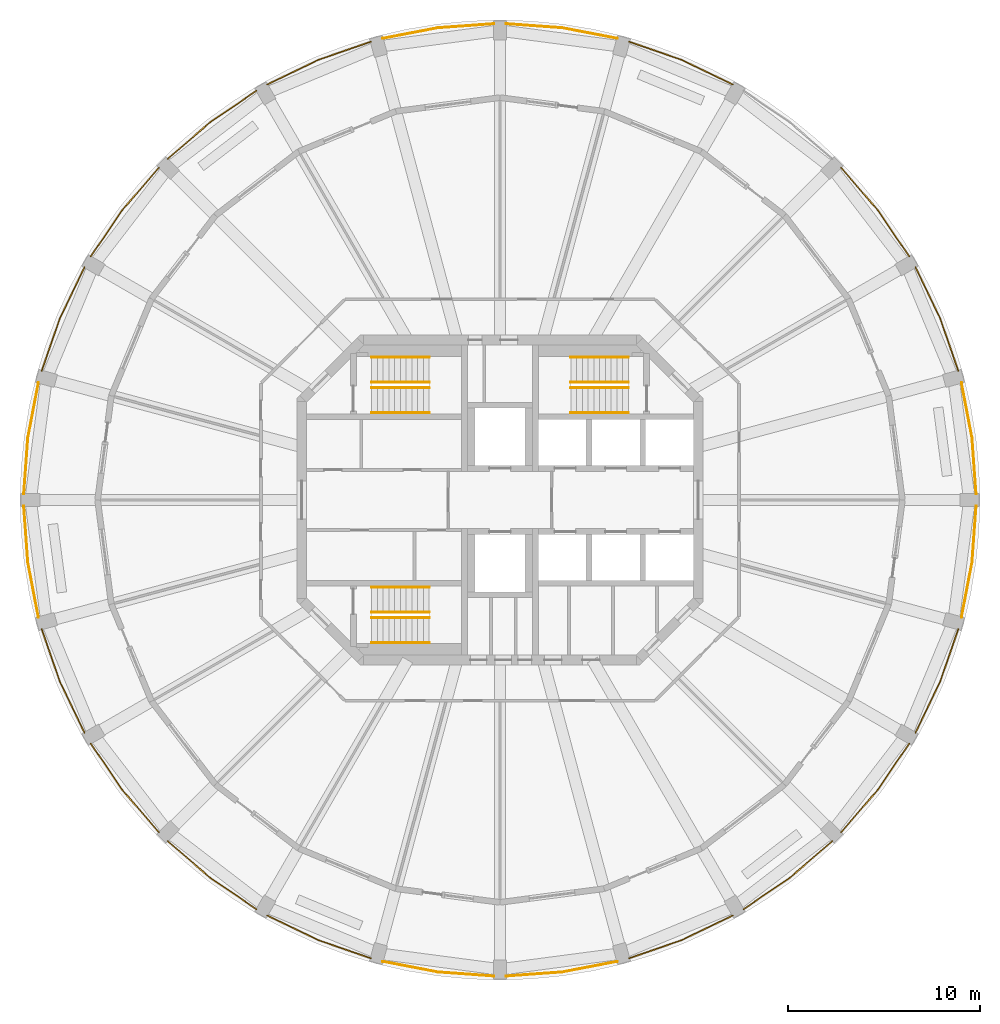
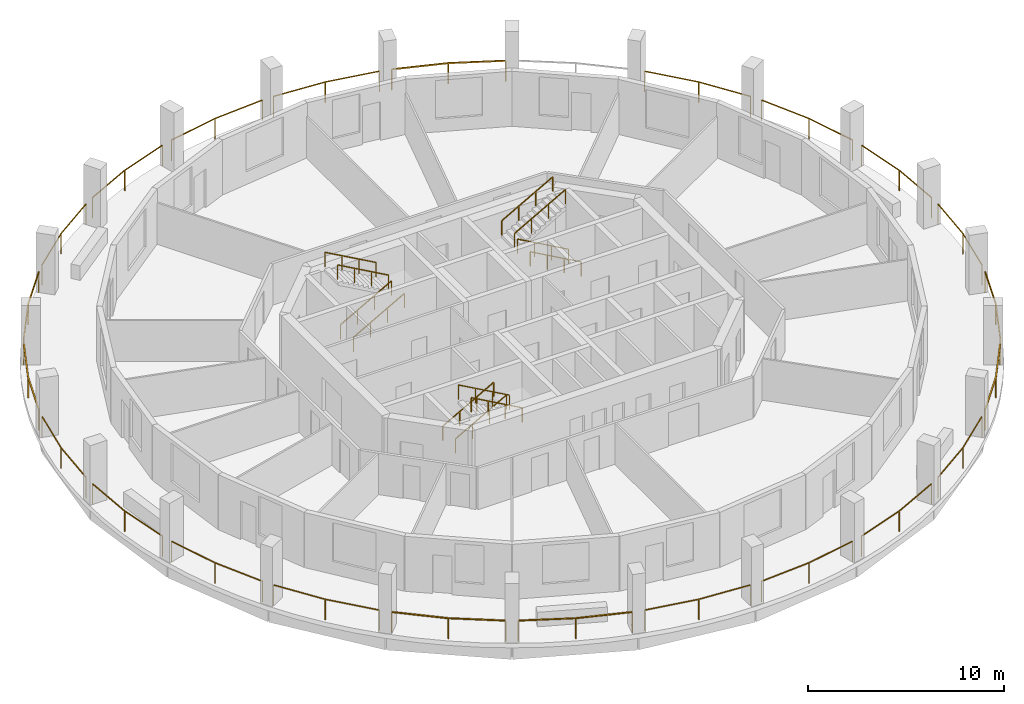
# One storey, part 8 of 9: 35 railings.
"""IFC4 building model written with IfcOpenShell, lengths in metres."""

from ifc_helpers import new_model, si_unit, direction, frame, origin, origin_2d, place, context, subcontext, project, spatial, rectangle, extrude, material, type_object, element, save


model = new_model("IFC4")

# Units and contexts
model_context = context("Model", 3, precision=1e-05, world=origin(), true_north=direction((0.0, 1.0)))
body_context = subcontext(model_context, "Body", "Model", "MODEL_VIEW")
ifc_project = project(units=[si_unit("LENGTHUNIT", "METRE"), si_unit("AREAUNIT", "SQUARE_METRE"), si_unit("VOLUMEUNIT", "CUBIC_METRE"), si_unit("PLANEANGLEUNIT", "RADIAN"), si_unit("MASSUNIT", "GRAM", prefix="KILO")], contexts=[model_context])

# Site, building, storey
site_placement = place(None, origin())
site = spatial("IfcSite", under=ifc_project, at=site_placement, CompositionType="ELEMENT")
building_placement = place(site_placement, origin())
building = spatial("IfcBuilding", under=site, at=building_placement, Name="Torre Triforio", CompositionType="ELEMENT")
storey_placement = place(building_placement, frame((0.0, 0.0, 264.89990234375)))
storey = spatial("IfcBuildingStorey", under=building, at=storey_placement, Name="L61", CompositionType="ELEMENT", Elevation=264.89990234375)

# Railings
ifc_material = material(Name="Stainless steel AISI 316", Category="steel")
railing_type_1 = type_object("IfcRailingType", Name="HANDRAIL 920", PredefinedType="HANDRAIL", material=ifc_material)
for number, where, name in (
    (1, (-6.699951171875, 4.550048828125, 0.168212890625), "Handrail ST1"),
    (2, (-6.699951171875, 5.85009765625, 0.168212890625), "Handrail ST1"),
):
    element("IfcRailing", number, at=place(storey_placement, frame(where)), inside=storey, type_object=railing_type_1, Name=name, PredefinedType="HANDRAIL", context=body_context, shape_type="SweptSolid", body=[
        extrude(rectangle(XDim=0.048095703125, YDim=0.048095703125, at=origin_2d()), frame((0.0, 0.0, 0.89599609375), z_axis=(0.872272294576, 0.0, 0.489020494575), x_axis=(0.0, 1.0, 0.0)), (0.0, 0.0, 1.0), 3.439208984375),
        extrude(rectangle(XDim=0.0419921875, YDim=0.0419921875, at=origin_2d()), origin(), (0.0, 0.0, 1.0), 0.871826171875),
        extrude(rectangle(XDim=0.0419921875, YDim=0.0419921875, at=origin_2d()), frame((1.0, 0.0, 0.560546875)), (0.0, 0.0, 1.0), 0.871826171875),
        extrude(rectangle(XDim=0.0419921875, YDim=0.0419921875, at=origin_2d()), frame((2.0, 0.0, 1.121337890625)), (0.0, 0.0, 1.0), 0.871826171875),
        extrude(rectangle(XDim=0.0419921875, YDim=0.0419921875, at=origin_2d()), frame((3.0, 0.0, 1.681884765625)), (0.0, 0.0, 1.0), 0.871826171875),
    ])
for number, where, name in (
    (3, (-3.699951171875, 7.449951171875, 2.018310546875), "Handrail ST1"),
    (4, (-3.699951171875, 6.14990234375, 2.018310546875), "Handrail ST1"),
    (5, (6.699951171875, 4.550048828125, 0.168212890625), "Handrail ST2"),
    (6, (6.699951171875, 5.85009765625, 0.168212890625), "Handrail ST2"),
):
    element("IfcRailing", number, at=place(storey_placement, frame(where)), inside=storey, type_object=railing_type_1, Name=name, PredefinedType="HANDRAIL", context=body_context, shape_type="SweptSolid", body=[
        extrude(rectangle(XDim=0.048095703125, YDim=0.048095703125, at=origin_2d()), frame((0.0, 0.0, 0.89599609375), z_axis=(-0.872272294576, 0.0, 0.489020494575), x_axis=(0.0, -1.0, 0.0)), (0.0, 0.0, 1.0), 3.439208984375),
        extrude(rectangle(XDim=0.0419921875, YDim=0.0419921875, at=origin_2d()), origin(), (0.0, 0.0, 1.0), 0.871826171875),
        extrude(rectangle(XDim=0.0419921875, YDim=0.0419921875, at=origin_2d()), frame((-1.0, 0.0, 0.560546875)), (0.0, 0.0, 1.0), 0.871826171875),
        extrude(rectangle(XDim=0.0419921875, YDim=0.0419921875, at=origin_2d()), frame((-2.0, 0.0, 1.121337890625)), (0.0, 0.0, 1.0), 0.871826171875),
        extrude(rectangle(XDim=0.0419921875, YDim=0.0419921875, at=origin_2d()), frame((-3.0, 0.0, 1.681884765625)), (0.0, 0.0, 1.0), 0.871826171875),
    ])
for number, where, name in (
    (7, (3.699951171875, 7.449951171875, 2.018310546875), "Handrail ST2"),
    (8, (3.699951171875, 6.14990234375, 2.018310546875), "Handrail ST2"),
    (9, (-6.699951171875, -4.550048828125, 0.168212890625), "Handrail ST3"),
    (10, (-6.699951171875, -5.85009765625, 0.168212890625), "Handrail ST3"),
):
    element("IfcRailing", number, at=place(storey_placement, frame(where)), inside=storey, type_object=railing_type_1, Name=name, PredefinedType="HANDRAIL", context=body_context, shape_type="SweptSolid", body=[
        extrude(rectangle(XDim=0.048095703125, YDim=0.048095703125, at=origin_2d()), frame((0.0, 0.0, 0.89599609375), z_axis=(0.872272294576, 0.0, 0.489020494575), x_axis=(0.0, 1.0, 0.0)), (0.0, 0.0, 1.0), 3.439208984375),
        extrude(rectangle(XDim=0.0419921875, YDim=0.0419921875, at=origin_2d()), origin(), (0.0, 0.0, 1.0), 0.871826171875),
        extrude(rectangle(XDim=0.0419921875, YDim=0.0419921875, at=origin_2d()), frame((1.0, 0.0, 0.560546875)), (0.0, 0.0, 1.0), 0.871826171875),
        extrude(rectangle(XDim=0.0419921875, YDim=0.0419921875, at=origin_2d()), frame((2.0, 0.0, 1.121337890625)), (0.0, 0.0, 1.0), 0.871826171875),
        extrude(rectangle(XDim=0.0419921875, YDim=0.0419921875, at=origin_2d()), frame((3.0, 0.0, 1.681884765625)), (0.0, 0.0, 1.0), 0.871826171875),
    ])
for number, where, name in (
    (11, (-3.699951171875, -7.449951171875, 2.018310546875), "Handrail ST3"),
    (12, (-3.699951171875, -6.14990234375, 2.018310546875), "Handrail ST3"),
):
    element("IfcRailing", number, at=place(storey_placement, frame(where)), inside=storey, type_object=railing_type_1, Name=name, PredefinedType="HANDRAIL", context=body_context, shape_type="SweptSolid", body=[
        extrude(rectangle(XDim=0.048095703125, YDim=0.048095703125, at=origin_2d()), frame((0.0, 0.0, 0.89599609375), z_axis=(-0.872272294576, 0.0, 0.489020494575), x_axis=(0.0, -1.0, 0.0)), (0.0, 0.0, 1.0), 3.439208984375),
        extrude(rectangle(XDim=0.0419921875, YDim=0.0419921875, at=origin_2d()), origin(), (0.0, 0.0, 1.0), 0.871826171875),
        extrude(rectangle(XDim=0.0419921875, YDim=0.0419921875, at=origin_2d()), frame((-1.0, 0.0, 0.560546875)), (0.0, 0.0, 1.0), 0.871826171875),
        extrude(rectangle(XDim=0.0419921875, YDim=0.0419921875, at=origin_2d()), frame((-2.0, 0.0, 1.121337890625)), (0.0, 0.0, 1.0), 0.871826171875),
        extrude(rectangle(XDim=0.0419921875, YDim=0.0419921875, at=origin_2d()), frame((-3.0, 0.0, 1.681884765625)), (0.0, 0.0, 1.0), 0.871826171875),
    ])
railing_type_2 = type_object("IfcRailingType", Name="Loggia guard 1300", PredefinedType="GUARDRAIL", material=ifc_material)
railing_1_placement = place(storey_placement, frame((24.85009765625, 0.320068359375, 0.0)))
element("IfcRailing", 13, at=railing_1_placement, inside=storey, type_object=railing_type_2, Name="Loggia guard L61 bay 01", PredefinedType="GUARDRAIL", context=body_context, shape_type="SweptSolid", body=[
    extrude(rectangle(XDim=0.050048828125, YDim=0.050048828125, at=origin_2d()), frame((0.0, 0.0, 1.27490234375), z_axis=(-0.072543227511, 0.997365269168, 0.0), x_axis=(-0.997365269168, -0.072543227511, 0.0)), (0.0, 0.0, 1.0), 2.931396484375),
    extrude(rectangle(XDim=0.050048828125, YDim=0.050048828125, at=origin_2d()), frame((-0.212646484375, 2.923583984375, 1.27490234375), z_axis=(-0.188068851895, 0.982155846568, 0.0), x_axis=(-0.982155846568, -0.188068851895, 0.0)), (0.0, 0.0, 1.0), 2.93115234375),
    extrude(rectangle(XDim=0.0400390625, YDim=0.0400390625, at=origin_2d()), origin(), (0.0, 0.0, 1.0), 1.25),
    extrude(rectangle(XDim=0.0400390625, YDim=0.0400390625, at=origin_2d()), frame((-0.212646484375, 2.923583984375, 0.0)), (0.0, 0.0, 1.0), 1.25),
    extrude(rectangle(XDim=0.0400390625, YDim=0.0400390625, at=origin_2d()), frame((-0.763916015625, 5.802490234375, 0.0)), (0.0, 0.0, 1.0), 1.25),
])
railing_2_placement = place(storey_placement, frame((23.92041015625, 6.74072265625, 0.0)))
element("IfcRailing", 14, at=railing_2_placement, inside=storey, type_object=railing_type_2, Name="Loggia guard L61 bay 02", PredefinedType="GUARDRAIL", context=body_context, shape_type="SweptSolid", body=[
    extrude(rectangle(XDim=0.050048828125, YDim=0.050048828125, at=origin_2d()), frame((0.0, 0.0, 1.27490234375), z_axis=(-0.328145883403, 0.944627058264, 0.0), x_axis=(-0.944627058264, -0.328145883403, 0.0)), (0.0, 0.0, 1.0), 2.931396484375),
    extrude(rectangle(XDim=0.050048828125, YDim=0.050048828125, at=origin_2d()), frame((-0.9619140625, 2.76904296875, 1.27490234375), z_axis=(-0.435917913275, 0.899986429279, 0.0), x_axis=(-0.899986429279, -0.435917913275, 0.0)), (0.0, 0.0, 1.0), 2.931396484375),
    extrude(rectangle(XDim=0.0400390625, YDim=0.0400390625, at=origin_2d()), origin(), (0.0, 0.0, 1.0), 1.25),
    extrude(rectangle(XDim=0.0400390625, YDim=0.0400390625, at=origin_2d()), frame((-0.9619140625, 2.76904296875, 0.0)), (0.0, 0.0, 1.0), 1.25),
    extrude(rectangle(XDim=0.0400390625, YDim=0.0400390625, at=origin_2d()), frame((-2.23974609375, 5.4072265625, 0.0)), (0.0, 0.0, 1.0), 1.25),
])
railing_3_placement = place(storey_placement, frame((21.360595703125, 12.7021484375, 0.0)))
element("IfcRailing", 15, at=railing_3_placement, inside=storey, type_object=railing_type_2, Name="Loggia guard L61 bay 03", PredefinedType="GUARDRAIL", context=body_context, shape_type="SweptSolid", body=[
    extrude(rectangle(XDim=0.050048828125, YDim=0.050048828125, at=origin_2d()), frame((0.0, 0.0, 1.27490234375), z_axis=(-0.561466791934, 0.827499269821, 0.0), x_axis=(-0.827499269821, -0.561466791934, 0.0)), (0.0, 0.0, 1.0), 2.93115234375),
    extrude(rectangle(XDim=0.050048828125, YDim=0.050048828125, at=origin_2d()), frame((-1.645751953125, 2.425537109375, 1.27490234375), z_axis=(-0.653981928353, 0.756510170049, 0.0), x_axis=(-0.756510170049, -0.653981928353, 0.0)), (0.0, 0.0, 1.0), 2.93115234375),
    extrude(rectangle(XDim=0.0400390625, YDim=0.0400390625, at=origin_2d()), origin(), (0.0, 0.0, 1.0), 1.25),
    extrude(rectangle(XDim=0.0400390625, YDim=0.0400390625, at=origin_2d()), frame((-1.645751953125, 2.425537109375, 0.0)), (0.0, 0.0, 1.0), 1.25),
    extrude(rectangle(XDim=0.0400390625, YDim=0.0400390625, at=origin_2d()), frame((-3.562744140625, 4.64306640625, 0.0)), (0.0, 0.0, 1.0), 1.25),
])
railing_4_placement = place(storey_placement, frame((12.14794921875, 21.6806640625, 0.0)))
element("IfcRailing", 16, at=railing_4_placement, inside=storey, type_object=railing_type_2, Name="Loggia guard L61 bay 05", PredefinedType="GUARDRAIL", context=body_context, shape_type="SweptSolid", body=[
    extrude(rectangle(XDim=0.050048828125, YDim=0.050048828125, at=origin_2d()), frame((0.0, 0.0, 1.27490234375), z_axis=(-0.899986429279, 0.435917913275, 0.0), x_axis=(-0.435917913275, -0.899986429279, 0.0)), (0.0, 0.0, 1.0), 2.931396484375),
    extrude(rectangle(XDim=0.050048828125, YDim=0.050048828125, at=origin_2d()), frame((-2.63818359375, 1.27783203125, 1.27490234375), z_axis=(-0.944627058264, 0.328145883403, 0.0), x_axis=(-0.328145883403, -0.944627058264, 0.0)), (0.0, 0.0, 1.0), 2.931396484375),
    extrude(rectangle(XDim=0.0400390625, YDim=0.0400390625, at=origin_2d()), origin(), (0.0, 0.0, 1.0), 1.25),
    extrude(rectangle(XDim=0.0400390625, YDim=0.0400390625, at=origin_2d()), frame((-2.63818359375, 1.27783203125, 0.0)), (0.0, 0.0, 1.0), 1.25),
    extrude(rectangle(XDim=0.0400390625, YDim=0.0400390625, at=origin_2d()), frame((-5.4072265625, 2.23974609375, 0.0)), (0.0, 0.0, 1.0), 1.25),
])
railing_5_placement = place(storey_placement, frame((6.12255859375, 24.086181640625, 0.0)))
element("IfcRailing", 17, at=railing_5_placement, inside=storey, type_object=railing_type_2, Name="Loggia guard L61 bay 06", PredefinedType="GUARDRAIL", context=body_context, shape_type="SweptSolid", body=[
    extrude(rectangle(XDim=0.050048828125, YDim=0.050048828125, at=origin_2d()), frame((0.0, 0.0, 1.27490234375), z_axis=(-0.982155846568, 0.188068851895, 0.0), x_axis=(-0.188068851895, -0.982155846568, 0.0)), (0.0, 0.0, 1.0), 2.93115234375),
    extrude(rectangle(XDim=0.050048828125, YDim=0.050048828125, at=origin_2d()), frame((-2.87890625, 0.55126953125, 1.27490234375), z_axis=(-0.997365269168, 0.072543227511, 0.0), x_axis=(-0.072543227511, -0.997365269168, 0.0)), (0.0, 0.0, 1.0), 2.931396484375),
    extrude(rectangle(XDim=0.0400390625, YDim=0.0400390625, at=origin_2d()), origin(), (0.0, 0.0, 1.0), 1.25),
    extrude(rectangle(XDim=0.0400390625, YDim=0.0400390625, at=origin_2d()), frame((-2.87890625, 0.55126953125, 0.0)), (0.0, 0.0, 1.0), 1.25),
    extrude(rectangle(XDim=0.0400390625, YDim=0.0400390625, at=origin_2d()), frame((-5.802490234375, 0.763916015625, 0.0)), (0.0, 0.0, 1.0), 1.25),
])
railing_6_placement = place(storey_placement, frame((-0.320068359375, 24.85009765625, 0.0)))
element("IfcRailing", 18, at=railing_6_placement, inside=storey, type_object=railing_type_2, Name="Loggia guard L61 bay 07", PredefinedType="GUARDRAIL", context=body_context, shape_type="SweptSolid", body=[
    extrude(rectangle(XDim=0.050048828125, YDim=0.050048828125, at=origin_2d()), frame((0.0, 0.0, 1.27490234375), z_axis=(-0.997365269168, -0.072543227511, 0.0), x_axis=(0.072543227511, -0.997365269168, 0.0)), (0.0, 0.0, 1.0), 2.931396484375),
    extrude(rectangle(XDim=0.050048828125, YDim=0.050048828125, at=origin_2d()), frame((-2.923583984375, -0.212646484375, 1.27490234375), z_axis=(-0.982155846568, -0.188068851895, 0.0), x_axis=(0.188068851895, -0.982155846568, 0.0)), (0.0, 0.0, 1.0), 2.93115234375),
    extrude(rectangle(XDim=0.0400390625, YDim=0.0400390625, at=origin_2d()), origin(), (0.0, 0.0, 1.0), 1.25),
    extrude(rectangle(XDim=0.0400390625, YDim=0.0400390625, at=origin_2d()), frame((-2.923583984375, -0.212646484375, 0.0)), (0.0, 0.0, 1.0), 1.25),
    extrude(rectangle(XDim=0.0400390625, YDim=0.0400390625, at=origin_2d()), frame((-5.802490234375, -0.763916015625, 0.0)), (0.0, 0.0, 1.0), 1.25),
])
railing_7_placement = place(storey_placement, frame((-6.74072265625, 23.92041015625, 0.0)))
element("IfcRailing", 19, at=railing_7_placement, inside=storey, type_object=railing_type_2, Name="Loggia guard L61 bay 08", PredefinedType="GUARDRAIL", context=body_context, shape_type="SweptSolid", body=[
    extrude(rectangle(XDim=0.050048828125, YDim=0.050048828125, at=origin_2d()), frame((0.0, 0.0, 1.27490234375), z_axis=(-0.944627058264, -0.328145883403, 0.0), x_axis=(0.328145883403, -0.944627058264, 0.0)), (0.0, 0.0, 1.0), 2.931396484375),
    extrude(rectangle(XDim=0.050048828125, YDim=0.050048828125, at=origin_2d()), frame((-2.76904296875, -0.9619140625, 1.27490234375), z_axis=(-0.899986429279, -0.435917913275, 0.0), x_axis=(0.435917913275, -0.899986429279, 0.0)), (0.0, 0.0, 1.0), 2.931396484375),
    extrude(rectangle(XDim=0.0400390625, YDim=0.0400390625, at=origin_2d()), origin(), (0.0, 0.0, 1.0), 1.25),
    extrude(rectangle(XDim=0.0400390625, YDim=0.0400390625, at=origin_2d()), frame((-2.76904296875, -0.9619140625, 0.0)), (0.0, 0.0, 1.0), 1.25),
    extrude(rectangle(XDim=0.0400390625, YDim=0.0400390625, at=origin_2d()), frame((-5.4072265625, -2.23974609375, 0.0)), (0.0, 0.0, 1.0), 1.25),
])
railing_8_placement = place(storey_placement, frame((-12.7021484375, 21.360595703125, 0.0)))
element("IfcRailing", 20, at=railing_8_placement, inside=storey, type_object=railing_type_2, Name="Loggia guard L61 bay 09", PredefinedType="GUARDRAIL", context=body_context, shape_type="SweptSolid", body=[
    extrude(rectangle(XDim=0.050048828125, YDim=0.050048828125, at=origin_2d()), frame((0.0, 0.0, 1.27490234375), z_axis=(-0.827499269821, -0.561466791934, 0.0), x_axis=(0.561466791934, -0.827499269821, 0.0)), (0.0, 0.0, 1.0), 2.93115234375),
    extrude(rectangle(XDim=0.050048828125, YDim=0.050048828125, at=origin_2d()), frame((-2.425537109375, -1.645751953125, 1.27490234375), z_axis=(-0.756510170049, -0.653981928353, 0.0), x_axis=(0.653981928353, -0.756510170049, 0.0)), (0.0, 0.0, 1.0), 2.93115234375),
    extrude(rectangle(XDim=0.0400390625, YDim=0.0400390625, at=origin_2d()), origin(), (0.0, 0.0, 1.0), 1.25),
    extrude(rectangle(XDim=0.0400390625, YDim=0.0400390625, at=origin_2d()), frame((-2.425537109375, -1.645751953125, 0.0)), (0.0, 0.0, 1.0), 1.25),
    extrude(rectangle(XDim=0.0400390625, YDim=0.0400390625, at=origin_2d()), frame((-4.64306640625, -3.562744140625, 0.0)), (0.0, 0.0, 1.0), 1.25),
])
railing_9_placement = place(storey_placement, frame((-17.7978515625, 17.34521484375, 0.0)))
element("IfcRailing", 21, at=railing_9_placement, inside=storey, type_object=railing_type_2, Name="Loggia guard L61 bay 10", PredefinedType="GUARDRAIL", context=body_context, shape_type="SweptSolid", body=[
    extrude(rectangle(XDim=0.050048828125, YDim=0.050048828125, at=origin_2d()), frame((0.0, 0.0, 1.27490234375), z_axis=(-0.653981928353, -0.756510170049, 0.0), x_axis=(0.756510170049, -0.653981928353, 0.0)), (0.0, 0.0, 1.0), 2.93115234375),
    extrude(rectangle(XDim=0.050048828125, YDim=0.050048828125, at=origin_2d()), frame((-1.9169921875, -2.217529296875, 1.27490234375), z_axis=(-0.561466791934, -0.827499269821, 0.0), x_axis=(0.827499269821, -0.561466791934, 0.0)), (0.0, 0.0, 1.0), 2.93115234375),
    extrude(rectangle(XDim=0.0400390625, YDim=0.0400390625, at=origin_2d()), origin(), (0.0, 0.0, 1.0), 1.25),
    extrude(rectangle(XDim=0.0400390625, YDim=0.0400390625, at=origin_2d()), frame((-1.9169921875, -2.217529296875, 0.0)), (0.0, 0.0, 1.0), 1.25),
    extrude(rectangle(XDim=0.0400390625, YDim=0.0400390625, at=origin_2d()), frame((-3.562744140625, -4.64306640625, 0.0)), (0.0, 0.0, 1.0), 1.25),
])
railing_10_placement = place(storey_placement, frame((-21.6806640625, 12.14794921875, 0.0)))
element("IfcRailing", 22, at=railing_10_placement, inside=storey, type_object=railing_type_2, Name="Loggia guard L61 bay 11", PredefinedType="GUARDRAIL", context=body_context, shape_type="SweptSolid", body=[
    extrude(rectangle(XDim=0.050048828125, YDim=0.050048828125, at=origin_2d()), frame((0.0, 0.0, 1.27490234375), z_axis=(-0.435917913275, -0.899986429279, 0.0), x_axis=(0.899986429279, -0.435917913275, 0.0)), (0.0, 0.0, 1.0), 2.931396484375),
    extrude(rectangle(XDim=0.050048828125, YDim=0.050048828125, at=origin_2d()), frame((-1.27783203125, -2.63818359375, 1.27490234375), z_axis=(-0.328145883403, -0.944627058264, 0.0), x_axis=(0.944627058264, -0.328145883403, 0.0)), (0.0, 0.0, 1.0), 2.931396484375),
    extrude(rectangle(XDim=0.0400390625, YDim=0.0400390625, at=origin_2d()), origin(), (0.0, 0.0, 1.0), 1.25),
    extrude(rectangle(XDim=0.0400390625, YDim=0.0400390625, at=origin_2d()), frame((-1.27783203125, -2.63818359375, 0.0)), (0.0, 0.0, 1.0), 1.25),
    extrude(rectangle(XDim=0.0400390625, YDim=0.0400390625, at=origin_2d()), frame((-2.23974609375, -5.4072265625, 0.0)), (0.0, 0.0, 1.0), 1.25),
])
railing_11_placement = place(storey_placement, frame((-24.086181640625, 6.12255859375, 0.0)))
element("IfcRailing", 23, at=railing_11_placement, inside=storey, type_object=railing_type_2, Name="Loggia guard L61 bay 12", PredefinedType="GUARDRAIL", context=body_context, shape_type="SweptSolid", body=[
    extrude(rectangle(XDim=0.050048828125, YDim=0.050048828125, at=origin_2d()), frame((0.0, 0.0, 1.27490234375), z_axis=(-0.188068851895, -0.982155846568, 0.0), x_axis=(0.982155846568, -0.188068851895, 0.0)), (0.0, 0.0, 1.0), 2.93115234375),
    extrude(rectangle(XDim=0.050048828125, YDim=0.050048828125, at=origin_2d()), frame((-0.55126953125, -2.87890625, 1.27490234375), z_axis=(-0.072543227511, -0.997365269168, 0.0), x_axis=(0.997365269168, -0.072543227511, 0.0)), (0.0, 0.0, 1.0), 2.931396484375),
    extrude(rectangle(XDim=0.0400390625, YDim=0.0400390625, at=origin_2d()), origin(), (0.0, 0.0, 1.0), 1.25),
    extrude(rectangle(XDim=0.0400390625, YDim=0.0400390625, at=origin_2d()), frame((-0.55126953125, -2.87890625, 0.0)), (0.0, 0.0, 1.0), 1.25),
    extrude(rectangle(XDim=0.0400390625, YDim=0.0400390625, at=origin_2d()), frame((-0.763916015625, -5.802490234375, 0.0)), (0.0, 0.0, 1.0), 1.25),
])
railing_12_placement = place(storey_placement, frame((-24.85009765625, -0.320068359375, 0.0)))
element("IfcRailing", 24, at=railing_12_placement, inside=storey, type_object=railing_type_2, Name="Loggia guard L61 bay 13", PredefinedType="GUARDRAIL", context=body_context, shape_type="SweptSolid", body=[
    extrude(rectangle(XDim=0.050048828125, YDim=0.050048828125, at=origin_2d()), frame((0.0, 0.0, 1.27490234375), z_axis=(0.072543227511, -0.997365269168, 0.0), x_axis=(0.997365269168, 0.072543227511, 0.0)), (0.0, 0.0, 1.0), 2.931396484375),
    extrude(rectangle(XDim=0.050048828125, YDim=0.050048828125, at=origin_2d()), frame((0.212646484375, -2.923583984375, 1.27490234375), z_axis=(0.188068851895, -0.982155846568, 0.0), x_axis=(0.982155846568, 0.188068851895, 0.0)), (0.0, 0.0, 1.0), 2.93115234375),
    extrude(rectangle(XDim=0.0400390625, YDim=0.0400390625, at=origin_2d()), origin(), (0.0, 0.0, 1.0), 1.25),
    extrude(rectangle(XDim=0.0400390625, YDim=0.0400390625, at=origin_2d()), frame((0.212646484375, -2.923583984375, 0.0)), (0.0, 0.0, 1.0), 1.25),
    extrude(rectangle(XDim=0.0400390625, YDim=0.0400390625, at=origin_2d()), frame((0.763916015625, -5.802490234375, 0.0)), (0.0, 0.0, 1.0), 1.25),
])
railing_13_placement = place(storey_placement, frame((-23.92041015625, -6.74072265625, 0.0)))
element("IfcRailing", 25, at=railing_13_placement, inside=storey, type_object=railing_type_2, Name="Loggia guard L61 bay 14", PredefinedType="GUARDRAIL", context=body_context, shape_type="SweptSolid", body=[
    extrude(rectangle(XDim=0.050048828125, YDim=0.050048828125, at=origin_2d()), frame((0.0, 0.0, 1.27490234375), z_axis=(0.328145883403, -0.944627058264, 0.0), x_axis=(0.944627058264, 0.328145883403, 0.0)), (0.0, 0.0, 1.0), 2.931396484375),
    extrude(rectangle(XDim=0.050048828125, YDim=0.050048828125, at=origin_2d()), frame((0.9619140625, -2.76904296875, 1.27490234375), z_axis=(0.435917913275, -0.899986429279, 0.0), x_axis=(0.899986429279, 0.435917913275, 0.0)), (0.0, 0.0, 1.0), 2.931396484375),
    extrude(rectangle(XDim=0.0400390625, YDim=0.0400390625, at=origin_2d()), origin(), (0.0, 0.0, 1.0), 1.25),
    extrude(rectangle(XDim=0.0400390625, YDim=0.0400390625, at=origin_2d()), frame((0.9619140625, -2.76904296875, 0.0)), (0.0, 0.0, 1.0), 1.25),
    extrude(rectangle(XDim=0.0400390625, YDim=0.0400390625, at=origin_2d()), frame((2.23974609375, -5.4072265625, 0.0)), (0.0, 0.0, 1.0), 1.25),
])
railing_14_placement = place(storey_placement, frame((-21.360595703125, -12.7021484375, 0.0)))
element("IfcRailing", 26, at=railing_14_placement, inside=storey, type_object=railing_type_2, Name="Loggia guard L61 bay 15", PredefinedType="GUARDRAIL", context=body_context, shape_type="SweptSolid", body=[
    extrude(rectangle(XDim=0.050048828125, YDim=0.050048828125, at=origin_2d()), frame((0.0, 0.0, 1.27490234375), z_axis=(0.561466791934, -0.827499269821, 0.0), x_axis=(0.827499269821, 0.561466791934, 0.0)), (0.0, 0.0, 1.0), 2.93115234375),
    extrude(rectangle(XDim=0.050048828125, YDim=0.050048828125, at=origin_2d()), frame((1.645751953125, -2.425537109375, 1.27490234375), z_axis=(0.653981928353, -0.756510170049, 0.0), x_axis=(0.756510170049, 0.653981928353, 0.0)), (0.0, 0.0, 1.0), 2.93115234375),
    extrude(rectangle(XDim=0.0400390625, YDim=0.0400390625, at=origin_2d()), origin(), (0.0, 0.0, 1.0), 1.25),
    extrude(rectangle(XDim=0.0400390625, YDim=0.0400390625, at=origin_2d()), frame((1.645751953125, -2.425537109375, 0.0)), (0.0, 0.0, 1.0), 1.25),
    extrude(rectangle(XDim=0.0400390625, YDim=0.0400390625, at=origin_2d()), frame((3.562744140625, -4.64306640625, 0.0)), (0.0, 0.0, 1.0), 1.25),
])
railing_15_placement = place(storey_placement, frame((-17.34521484375, -17.7978515625, 0.0)))
element("IfcRailing", 27, at=railing_15_placement, inside=storey, type_object=railing_type_2, Name="Loggia guard L61 bay 16", PredefinedType="GUARDRAIL", context=body_context, shape_type="SweptSolid", body=[
    extrude(rectangle(XDim=0.050048828125, YDim=0.050048828125, at=origin_2d()), frame((0.0, 0.0, 1.27490234375), z_axis=(0.756510170049, -0.653981928353, 0.0), x_axis=(0.653981928353, 0.756510170049, 0.0)), (0.0, 0.0, 1.0), 2.93115234375),
    extrude(rectangle(XDim=0.050048828125, YDim=0.050048828125, at=origin_2d()), frame((2.217529296875, -1.9169921875, 1.27490234375), z_axis=(0.827499269821, -0.561466791934, 0.0), x_axis=(0.561466791934, 0.827499269821, 0.0)), (0.0, 0.0, 1.0), 2.93115234375),
    extrude(rectangle(XDim=0.0400390625, YDim=0.0400390625, at=origin_2d()), origin(), (0.0, 0.0, 1.0), 1.25),
    extrude(rectangle(XDim=0.0400390625, YDim=0.0400390625, at=origin_2d()), frame((2.217529296875, -1.9169921875, 0.0)), (0.0, 0.0, 1.0), 1.25),
    extrude(rectangle(XDim=0.0400390625, YDim=0.0400390625, at=origin_2d()), frame((4.64306640625, -3.562744140625, 0.0)), (0.0, 0.0, 1.0), 1.25),
])
railing_16_placement = place(storey_placement, frame((-12.14794921875, -21.6806640625, 0.0)))
element("IfcRailing", 28, at=railing_16_placement, inside=storey, type_object=railing_type_2, Name="Loggia guard L61 bay 17", PredefinedType="GUARDRAIL", context=body_context, shape_type="SweptSolid", body=[
    extrude(rectangle(XDim=0.050048828125, YDim=0.050048828125, at=origin_2d()), frame((0.0, 0.0, 1.27490234375), z_axis=(0.899986429279, -0.435917913275, 0.0), x_axis=(0.435917913275, 0.899986429279, 0.0)), (0.0, 0.0, 1.0), 2.931396484375),
    extrude(rectangle(XDim=0.050048828125, YDim=0.050048828125, at=origin_2d()), frame((2.63818359375, -1.27783203125, 1.27490234375), z_axis=(0.944627058264, -0.328145883403, 0.0), x_axis=(0.328145883403, 0.944627058264, 0.0)), (0.0, 0.0, 1.0), 2.931396484375),
    extrude(rectangle(XDim=0.0400390625, YDim=0.0400390625, at=origin_2d()), origin(), (0.0, 0.0, 1.0), 1.25),
    extrude(rectangle(XDim=0.0400390625, YDim=0.0400390625, at=origin_2d()), frame((2.63818359375, -1.27783203125, 0.0)), (0.0, 0.0, 1.0), 1.25),
    extrude(rectangle(XDim=0.0400390625, YDim=0.0400390625, at=origin_2d()), frame((5.4072265625, -2.23974609375, 0.0)), (0.0, 0.0, 1.0), 1.25),
])
railing_17_placement = place(storey_placement, frame((-6.12255859375, -24.086181640625, 0.0)))
element("IfcRailing", 29, at=railing_17_placement, inside=storey, type_object=railing_type_2, Name="Loggia guard L61 bay 18", PredefinedType="GUARDRAIL", context=body_context, shape_type="SweptSolid", body=[
    extrude(rectangle(XDim=0.050048828125, YDim=0.050048828125, at=origin_2d()), frame((0.0, 0.0, 1.27490234375), z_axis=(0.982155846568, -0.188068851895, 0.0), x_axis=(0.188068851895, 0.982155846568, 0.0)), (0.0, 0.0, 1.0), 2.93115234375),
    extrude(rectangle(XDim=0.050048828125, YDim=0.050048828125, at=origin_2d()), frame((2.87890625, -0.55126953125, 1.27490234375), z_axis=(0.997365269168, -0.072543227511, 0.0), x_axis=(0.072543227511, 0.997365269168, 0.0)), (0.0, 0.0, 1.0), 2.931396484375),
    extrude(rectangle(XDim=0.0400390625, YDim=0.0400390625, at=origin_2d()), origin(), (0.0, 0.0, 1.0), 1.25),
    extrude(rectangle(XDim=0.0400390625, YDim=0.0400390625, at=origin_2d()), frame((2.87890625, -0.55126953125, 0.0)), (0.0, 0.0, 1.0), 1.25),
    extrude(rectangle(XDim=0.0400390625, YDim=0.0400390625, at=origin_2d()), frame((5.802490234375, -0.763916015625, 0.0)), (0.0, 0.0, 1.0), 1.25),
])
railing_18_placement = place(storey_placement, frame((0.320068359375, -24.85009765625, 0.0)))
element("IfcRailing", 30, at=railing_18_placement, inside=storey, type_object=railing_type_2, Name="Loggia guard L61 bay 19", PredefinedType="GUARDRAIL", context=body_context, shape_type="SweptSolid", body=[
    extrude(rectangle(XDim=0.050048828125, YDim=0.050048828125, at=origin_2d()), frame((0.0, 0.0, 1.27490234375), z_axis=(0.997365269168, 0.072543227511, 0.0), x_axis=(-0.072543227511, 0.997365269168, 0.0)), (0.0, 0.0, 1.0), 2.931396484375),
    extrude(rectangle(XDim=0.050048828125, YDim=0.050048828125, at=origin_2d()), frame((2.923583984375, 0.212646484375, 1.27490234375), z_axis=(0.982155846568, 0.188068851895, 0.0), x_axis=(-0.188068851895, 0.982155846568, 0.0)), (0.0, 0.0, 1.0), 2.93115234375),
    extrude(rectangle(XDim=0.0400390625, YDim=0.0400390625, at=origin_2d()), origin(), (0.0, 0.0, 1.0), 1.25),
    extrude(rectangle(XDim=0.0400390625, YDim=0.0400390625, at=origin_2d()), frame((2.923583984375, 0.212646484375, 0.0)), (0.0, 0.0, 1.0), 1.25),
    extrude(rectangle(XDim=0.0400390625, YDim=0.0400390625, at=origin_2d()), frame((5.802490234375, 0.763916015625, 0.0)), (0.0, 0.0, 1.0), 1.25),
])
railing_19_placement = place(storey_placement, frame((6.74072265625, -23.92041015625, 0.0)))
element("IfcRailing", 31, at=railing_19_placement, inside=storey, type_object=railing_type_2, Name="Loggia guard L61 bay 20", PredefinedType="GUARDRAIL", context=body_context, shape_type="SweptSolid", body=[
    extrude(rectangle(XDim=0.050048828125, YDim=0.050048828125, at=origin_2d()), frame((0.0, 0.0, 1.27490234375), z_axis=(0.944627058264, 0.328145883403, 0.0), x_axis=(-0.328145883403, 0.944627058264, 0.0)), (0.0, 0.0, 1.0), 2.931396484375),
    extrude(rectangle(XDim=0.050048828125, YDim=0.050048828125, at=origin_2d()), frame((2.76904296875, 0.9619140625, 1.27490234375), z_axis=(0.899986429279, 0.435917913275, 0.0), x_axis=(-0.435917913275, 0.899986429279, 0.0)), (0.0, 0.0, 1.0), 2.931396484375),
    extrude(rectangle(XDim=0.0400390625, YDim=0.0400390625, at=origin_2d()), origin(), (0.0, 0.0, 1.0), 1.25),
    extrude(rectangle(XDim=0.0400390625, YDim=0.0400390625, at=origin_2d()), frame((2.76904296875, 0.9619140625, 0.0)), (0.0, 0.0, 1.0), 1.25),
    extrude(rectangle(XDim=0.0400390625, YDim=0.0400390625, at=origin_2d()), frame((5.4072265625, 2.23974609375, 0.0)), (0.0, 0.0, 1.0), 1.25),
])
railing_20_placement = place(storey_placement, frame((12.7021484375, -21.360595703125, 0.0)))
element("IfcRailing", 32, at=railing_20_placement, inside=storey, type_object=railing_type_2, Name="Loggia guard L61 bay 21", PredefinedType="GUARDRAIL", context=body_context, shape_type="SweptSolid", body=[
    extrude(rectangle(XDim=0.050048828125, YDim=0.050048828125, at=origin_2d()), frame((0.0, 0.0, 1.27490234375), z_axis=(0.827499269821, 0.561466791934, 0.0), x_axis=(-0.561466791934, 0.827499269821, 0.0)), (0.0, 0.0, 1.0), 2.93115234375),
    extrude(rectangle(XDim=0.050048828125, YDim=0.050048828125, at=origin_2d()), frame((2.425537109375, 1.645751953125, 1.27490234375), z_axis=(0.756510170049, 0.653981928353, 0.0), x_axis=(-0.653981928353, 0.756510170049, 0.0)), (0.0, 0.0, 1.0), 2.93115234375),
    extrude(rectangle(XDim=0.0400390625, YDim=0.0400390625, at=origin_2d()), origin(), (0.0, 0.0, 1.0), 1.25),
    extrude(rectangle(XDim=0.0400390625, YDim=0.0400390625, at=origin_2d()), frame((2.425537109375, 1.645751953125, 0.0)), (0.0, 0.0, 1.0), 1.25),
    extrude(rectangle(XDim=0.0400390625, YDim=0.0400390625, at=origin_2d()), frame((4.64306640625, 3.562744140625, 0.0)), (0.0, 0.0, 1.0), 1.25),
])
railing_21_placement = place(storey_placement, frame((17.7978515625, -17.34521484375, 0.0)))
element("IfcRailing", 33, at=railing_21_placement, inside=storey, type_object=railing_type_2, Name="Loggia guard L61 bay 22", PredefinedType="GUARDRAIL", context=body_context, shape_type="SweptSolid", body=[
    extrude(rectangle(XDim=0.050048828125, YDim=0.050048828125, at=origin_2d()), frame((0.0, 0.0, 1.27490234375), z_axis=(0.653981928353, 0.756510170049, 0.0), x_axis=(-0.756510170049, 0.653981928353, 0.0)), (0.0, 0.0, 1.0), 2.93115234375),
    extrude(rectangle(XDim=0.050048828125, YDim=0.050048828125, at=origin_2d()), frame((1.9169921875, 2.217529296875, 1.27490234375), z_axis=(0.561466791934, 0.827499269821, 0.0), x_axis=(-0.827499269821, 0.561466791934, 0.0)), (0.0, 0.0, 1.0), 2.93115234375),
    extrude(rectangle(XDim=0.0400390625, YDim=0.0400390625, at=origin_2d()), origin(), (0.0, 0.0, 1.0), 1.25),
    extrude(rectangle(XDim=0.0400390625, YDim=0.0400390625, at=origin_2d()), frame((1.9169921875, 2.217529296875, 0.0)), (0.0, 0.0, 1.0), 1.25),
    extrude(rectangle(XDim=0.0400390625, YDim=0.0400390625, at=origin_2d()), frame((3.562744140625, 4.64306640625, 0.0)), (0.0, 0.0, 1.0), 1.25),
])
railing_22_placement = place(storey_placement, frame((21.6806640625, -12.14794921875, 0.0)))
element("IfcRailing", 34, at=railing_22_placement, inside=storey, type_object=railing_type_2, Name="Loggia guard L61 bay 23", PredefinedType="GUARDRAIL", context=body_context, shape_type="SweptSolid", body=[
    extrude(rectangle(XDim=0.050048828125, YDim=0.050048828125, at=origin_2d()), frame((0.0, 0.0, 1.27490234375), z_axis=(0.435917913275, 0.899986429279, 0.0), x_axis=(-0.899986429279, 0.435917913275, 0.0)), (0.0, 0.0, 1.0), 2.931396484375),
    extrude(rectangle(XDim=0.050048828125, YDim=0.050048828125, at=origin_2d()), frame((1.27783203125, 2.63818359375, 1.27490234375), z_axis=(0.328145883403, 0.944627058264, 0.0), x_axis=(-0.944627058264, 0.328145883403, 0.0)), (0.0, 0.0, 1.0), 2.931396484375),
    extrude(rectangle(XDim=0.0400390625, YDim=0.0400390625, at=origin_2d()), origin(), (0.0, 0.0, 1.0), 1.25),
    extrude(rectangle(XDim=0.0400390625, YDim=0.0400390625, at=origin_2d()), frame((1.27783203125, 2.63818359375, 0.0)), (0.0, 0.0, 1.0), 1.25),
    extrude(rectangle(XDim=0.0400390625, YDim=0.0400390625, at=origin_2d()), frame((2.23974609375, 5.4072265625, 0.0)), (0.0, 0.0, 1.0), 1.25),
])
railing_23_placement = place(storey_placement, frame((24.086181640625, -6.12255859375, 0.0)))
element("IfcRailing", 35, at=railing_23_placement, inside=storey, type_object=railing_type_2, Name="Loggia guard L61 bay 24", PredefinedType="GUARDRAIL", context=body_context, shape_type="SweptSolid", body=[
    extrude(rectangle(XDim=0.050048828125, YDim=0.050048828125, at=origin_2d()), frame((0.0, 0.0, 1.27490234375), z_axis=(0.188068851895, 0.982155846568, 0.0), x_axis=(-0.982155846568, 0.188068851895, 0.0)), (0.0, 0.0, 1.0), 2.93115234375),
    extrude(rectangle(XDim=0.050048828125, YDim=0.050048828125, at=origin_2d()), frame((0.55126953125, 2.87890625, 1.27490234375), z_axis=(0.072543227511, 0.997365269168, 0.0), x_axis=(-0.997365269168, 0.072543227511, 0.0)), (0.0, 0.0, 1.0), 2.931396484375),
    extrude(rectangle(XDim=0.0400390625, YDim=0.0400390625, at=origin_2d()), origin(), (0.0, 0.0, 1.0), 1.25),
    extrude(rectangle(XDim=0.0400390625, YDim=0.0400390625, at=origin_2d()), frame((0.55126953125, 2.87890625, 0.0)), (0.0, 0.0, 1.0), 1.25),
    extrude(rectangle(XDim=0.0400390625, YDim=0.0400390625, at=origin_2d()), frame((0.763916015625, 5.802490234375, 0.0)), (0.0, 0.0, 1.0), 1.25),
])

save(model, "model.ifc")
